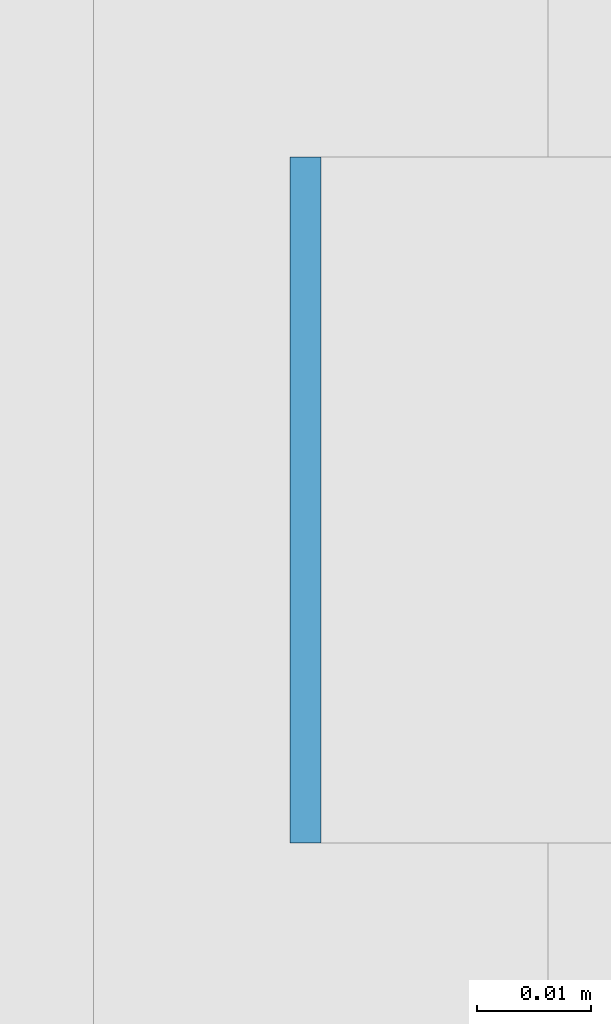
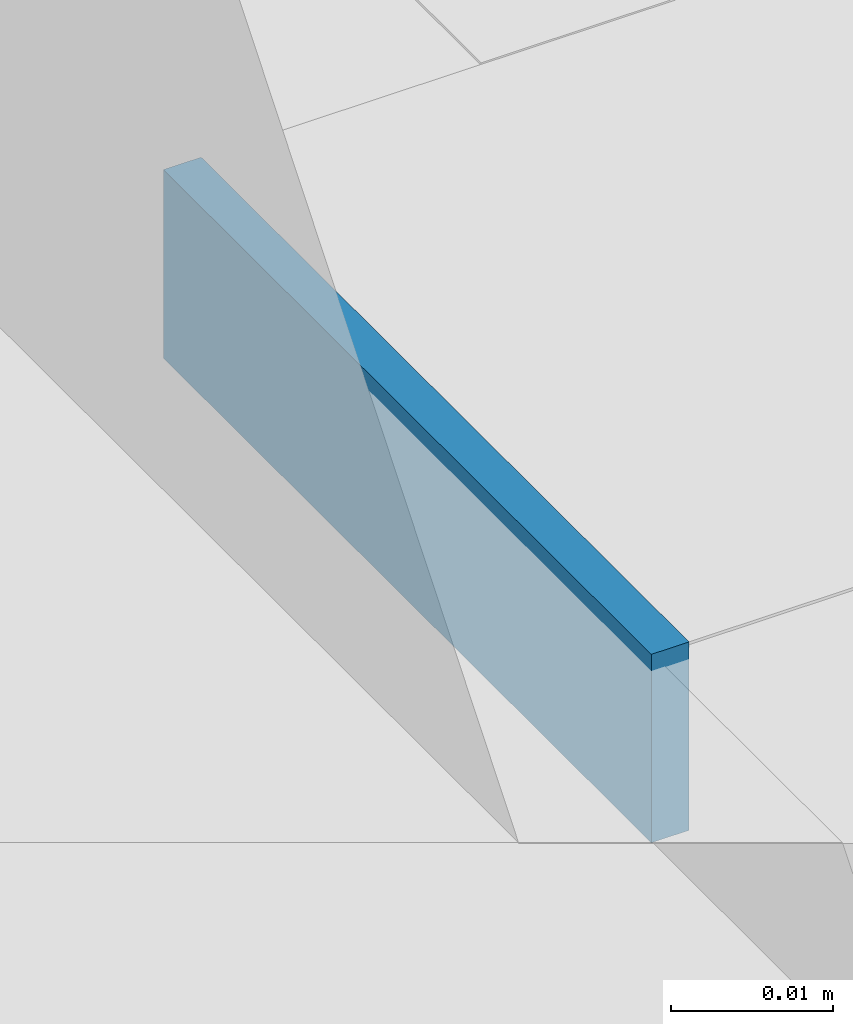
# One storey, part 579 of 646: 1 discrete accessory.
"""IFC4 building model written with IfcOpenShell, lengths in metres."""

import ifcopenshell
import ifcopenshell.guid

model = None  # the IFC model being written
_history = None  # IfcOwnerHistory: only IFC2X3 demands one
_inside = {}  # id of a spatial element -> (the spatial element, [elements in it])
_under = {}  # id of a project, library or spatial element -> (it, [spatial elements below it])
_declared = {}  # id of a project -> (the project, [libraries it declares])
_typed = {}  # id of a type object -> (the type object, [elements of that type])
_made_of = {}  # id of a material, layer set ... -> (it, [elements and type objects made of it])


def new_model(schema):
    """Start an empty IFC model of exactly this schema.

    Asked for "IFC4X3", IfcOpenShell would pick the latest addendum, in which some entities
    have other attributes; the version numbers below select the first issue.
    IFC2X3 requires an IfcOwnerHistory on every rooted entity: one is made here for all.
    """
    global model, _history
    if schema == "IFC4X3":
        model = ifcopenshell.file(schema_version=(4, 3, 0, 0))
    else:
        model = ifcopenshell.file(schema=schema)
    _inside.clear()
    _under.clear()
    _declared.clear()
    _typed.clear()
    _made_of.clear()
    _history = None
    if model.schema == "IFC2X3":
        org = make("IfcOrganization", Name="unknown")
        user = make(
            "IfcPersonAndOrganization",
            ThePerson=make("IfcPerson", FamilyName="unknown"),
            TheOrganization=org,
        )
        app = make(
            "IfcApplication",
            ApplicationDeveloper=org,
            Version="unknown",
            ApplicationFullName="unknown",
            ApplicationIdentifier="unknown",
        )
        _history = make(
            "IfcOwnerHistory",
            OwningUser=user,
            OwningApplication=app,
            ChangeAction="ADDED",
            CreationDate=0,
        )
    return model


def make(cls, **values):
    """One entity of the class cls with the attributes given. An attribute that is None is left unset."""
    return model.create_entity(
        cls, **{name: value for name, value in values.items() if value is not None}
    )


def rooted(cls, **values):
    """An entity with a GlobalId (a new one), such as an element, a storey or a relation."""
    return make(cls, GlobalId=ifcopenshell.guid.new(), OwnerHistory=_history, **values)


def si_unit(unit_type, name, prefix=None):
    """IfcSIUnit, for example si_unit("LENGTHUNIT", "METRE", prefix="MILLI")."""
    return make("IfcSIUnit", UnitType=unit_type, Prefix=prefix, Name=name)


def assignment(units):
    """IfcUnitAssignment: the units of a project."""
    return None if units is None else make("IfcUnitAssignment", Units=units)


def point(xyz):
    """IfcCartesianPoint."""
    return None if xyz is None else make("IfcCartesianPoint", Coordinates=xyz)


def direction(xyz):
    """IfcDirection."""
    return None if xyz is None else make("IfcDirection", DirectionRatios=xyz)


def frame(location, z_axis=None, x_axis=None):
    """IfcAxis2Placement3D, a coordinate frame: its origin and axes. An axis left out is left unset."""
    return make(
        "IfcAxis2Placement3D",
        Location=point(location),
        Axis=direction(z_axis),
        RefDirection=direction(x_axis),
    )


def frame_2d(location, x_axis=None):
    """IfcAxis2Placement2D, a coordinate frame in the plane: its origin and x axis."""
    return make(
        "IfcAxis2Placement2D", Location=point(location), RefDirection=direction(x_axis)
    )


def origin():
    """The frame at (0, 0, 0) with its axes left unset."""
    return frame((0.0, 0.0, 0.0))


def origin_2d():
    """The frame at (0, 0) in the plane with its x axis left unset."""
    return frame_2d((0.0, 0.0))


def place(relative_to, where):
    """IfcLocalPlacement: puts the frame where relative to a parent placement (None: the world)."""
    return make(
        "IfcLocalPlacement", PlacementRelTo=relative_to, RelativePlacement=where
    )


def context(
    kind, dimensions, precision=None, world=None, true_north=None, identifier=None
):
    """IfcGeometricRepresentationContext, for example the 3D "Model" context."""
    return make(
        "IfcGeometricRepresentationContext",
        ContextIdentifier=identifier,
        ContextType=kind,
        CoordinateSpaceDimension=dimensions,
        Precision=precision,
        WorldCoordinateSystem=world,
        TrueNorth=true_north,
    )


def subcontext(parent, identifier, kind, view, scale=None):
    """IfcGeometricRepresentationSubContext, for example "Body" below "Model"."""
    return make(
        "IfcGeometricRepresentationSubContext",
        ContextIdentifier=identifier,
        ContextType=kind,
        ParentContext=parent,
        TargetScale=scale,
        TargetView=view,
    )


def project(units=None, contexts=None):
    """IfcProject with its units and contexts."""
    return rooted(
        "IfcProject",
        Name="project",
        RepresentationContexts=contexts,
        UnitsInContext=assignment(units),
    )


def spatial(cls, under=None, at=None, **own):
    """A site, building, storey or space (cls), placed at a placement, below another one or the project."""
    s = rooted(cls, ObjectPlacement=at, **own)
    if under is not None:
        _under.setdefault(under.id(), (under, []))[1].append(s)
    return s


def profile(cls, at=None, kind="AREA", **sizes):
    """A parametric profile (cls). Its sizes go by their IFC names, for example OverallWidth=200.0."""
    return make(cls, ProfileType=kind, Position=at, **sizes)


def rectangle(**sizes):
    """IfcRectangleProfileDef."""
    return profile("IfcRectangleProfileDef", **sizes)


def extrude(swept, where, along, depth):
    """IfcExtrudedAreaSolid: the profile swept, set in the frame where, extruded along a direction by depth."""
    return make(
        "IfcExtrudedAreaSolid",
        SweptArea=swept,
        Position=where,
        ExtrudedDirection=direction(along),
        Depth=depth,
    )


def shape(context_of_items, identifier, shape_type, items):
    """IfcShapeRepresentation: the items that make up one representation, for example the "Body"."""
    return make(
        "IfcShapeRepresentation",
        ContextOfItems=context_of_items,
        RepresentationIdentifier=identifier,
        RepresentationType=shape_type,
        Items=items,
    )


def material(Name=None, Category=None):
    """IfcMaterial."""
    return make("IfcMaterial", Name=Name, Category=Category)


def made_of(thing, what):
    """Note that an element or type object is made of a material, layer set ...; save() writes the relation."""
    if what is not None:
        _made_of.setdefault(what.id(), (what, []))[1].append(thing)
    return thing


def type_object(cls, material=None, **own):
    """A type object (cls), such as IfcWallType, which elements share."""
    return made_of(rooted(cls, **own), material)


def element(
    cls,
    number,
    at=None,
    inside=None,
    cuts=None,
    type_object=None,
    material=None,
    context=None,
    identifier="Body",
    shape_type=None,
    held_by="IfcProductDefinitionShape",
    body=None,
    shapes=None,
    **own,
):
    """One element of the class cls, such as IfcWall. Its Tag is "e" and its number.

    at: its placement. inside: the storey or other place that contains it. cuts: it is an
    opening in that element (IfcRelVoidsElement). A single representation is given by context,
    identifier, shape_type and body (its items); several are given by shapes. held_by: the class
    of the entity that holds the representations. save() writes the other relations.
    """
    e = rooted(cls, Tag="e%d" % number, ObjectPlacement=at, **own)
    if body is not None:
        shapes = [shape(context, identifier, shape_type, body)]
    if shapes is not None:
        e.Representation = make(held_by, Representations=shapes)
    if inside is not None:
        _inside.setdefault(inside.id(), (inside, []))[1].append(e)
    if cuts is not None:
        rooted(
            "IfcRelVoidsElement", RelatingBuildingElement=cuts, RelatedOpeningElement=e
        )
    if type_object is not None:
        _typed.setdefault(type_object.id(), (type_object, []))[1].append(e)
    return made_of(e, material)


def aggregate(whole, parts):
    """IfcRelAggregates: a whole, such as a stair, and the parts it consists of."""
    return rooted("IfcRelAggregates", RelatingObject=whole, RelatedObjects=parts)


def save(model, path):
    """Write the relations noted so far, then the file.

    IfcRelAggregates (storeys below a building ...), IfcRelContainedInSpatialStructure (elements
    in a storey), IfcRelDefinesByType, IfcRelAssociatesMaterial and IfcRelDeclares: one each for
    every whole, place, type object, material and project.
    """
    for whole, parts in _under.values():
        aggregate(whole, parts)
    for where, things in _inside.values():
        rooted(
            "IfcRelContainedInSpatialStructure",
            RelatedElements=things,
            RelatingStructure=where,
        )
    for kind, things in _typed.values():
        rooted("IfcRelDefinesByType", RelatedObjects=things, RelatingType=kind)
    for what, things in _made_of.values():
        rooted("IfcRelAssociatesMaterial", RelatedObjects=things, RelatingMaterial=what)
    for by, libraries in _declared.values():
        rooted("IfcRelDeclares", RelatingContext=by, RelatedDefinitions=libraries)
    model.write(path)


model = new_model("IFC4")

# Units and contexts
model_context = context("Model", 3, precision=1e-05, world=origin(), true_north=direction((0.0, 1.0)))
body_context = subcontext(model_context, "Body", "Model", "MODEL_VIEW")
ifc_project = project(units=[si_unit("LENGTHUNIT", "METRE"), si_unit("AREAUNIT", "SQUARE_METRE"), si_unit("VOLUMEUNIT", "CUBIC_METRE"), si_unit("PLANEANGLEUNIT", "RADIAN"), si_unit("MASSUNIT", "GRAM", prefix="KILO")], contexts=[model_context])

# Site, building, storey
site_placement = place(None, origin())
site = spatial("IfcSite", under=ifc_project, at=site_placement, CompositionType="ELEMENT")
building_placement = place(site_placement, origin())
building = spatial("IfcBuilding", under=site, at=building_placement, Name="Silverbay Arena", CompositionType="ELEMENT")
storey_placement = place(building_placement, frame((0.0, 0.0, 33.5)))
storey = spatial("IfcBuildingStorey", under=building, at=storey_placement, Name="L05", CompositionType="ELEMENT", Elevation=33.5)

# Discrete accessory
ifc_material = material(Name="Steel S355", Category="steel")
discrete_accessory_type = type_object("IfcDiscreteAccessoryType", Name="Steel bracket plate", PredefinedType="BRACKET", material=ifc_material)
discrete_accessory_placement = place(storey_placement, frame((207.128662109375, 111.857177734375, 12.98583984375), z_axis=(0.0, 0.0, 1.0), x_axis=(1.0, 0.0, 0.0)))
element("IfcDiscreteAccessory", 1, at=discrete_accessory_placement, inside=storey, type_object=discrete_accessory_type, Name="Curtain wall packing plate", PredefinedType="BRACKET", context=body_context, shape_type="SweptSolid", body=[
    extrude(rectangle(XDim=0.002685546875, YDim=0.06005859375, at=origin_2d()), origin(), (0.0, 0.0, 1.0), 0.01416015625),
])

save(model, "model.ifc")
